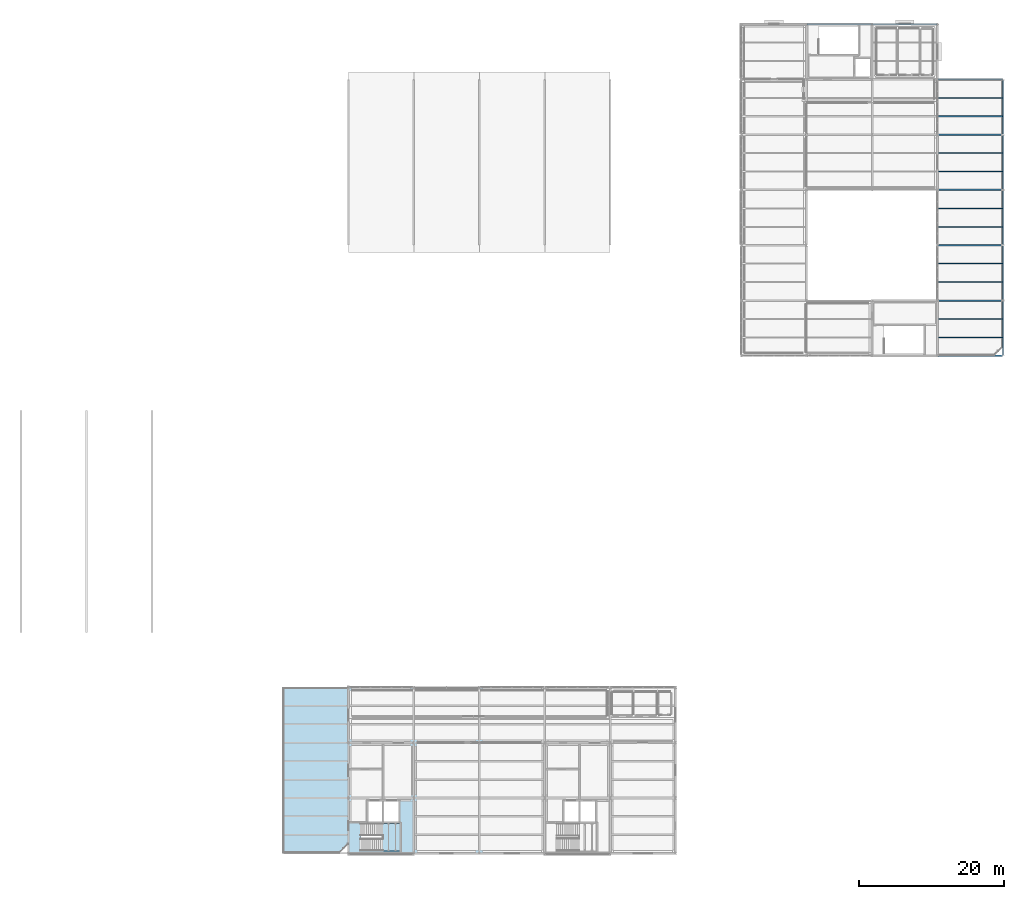
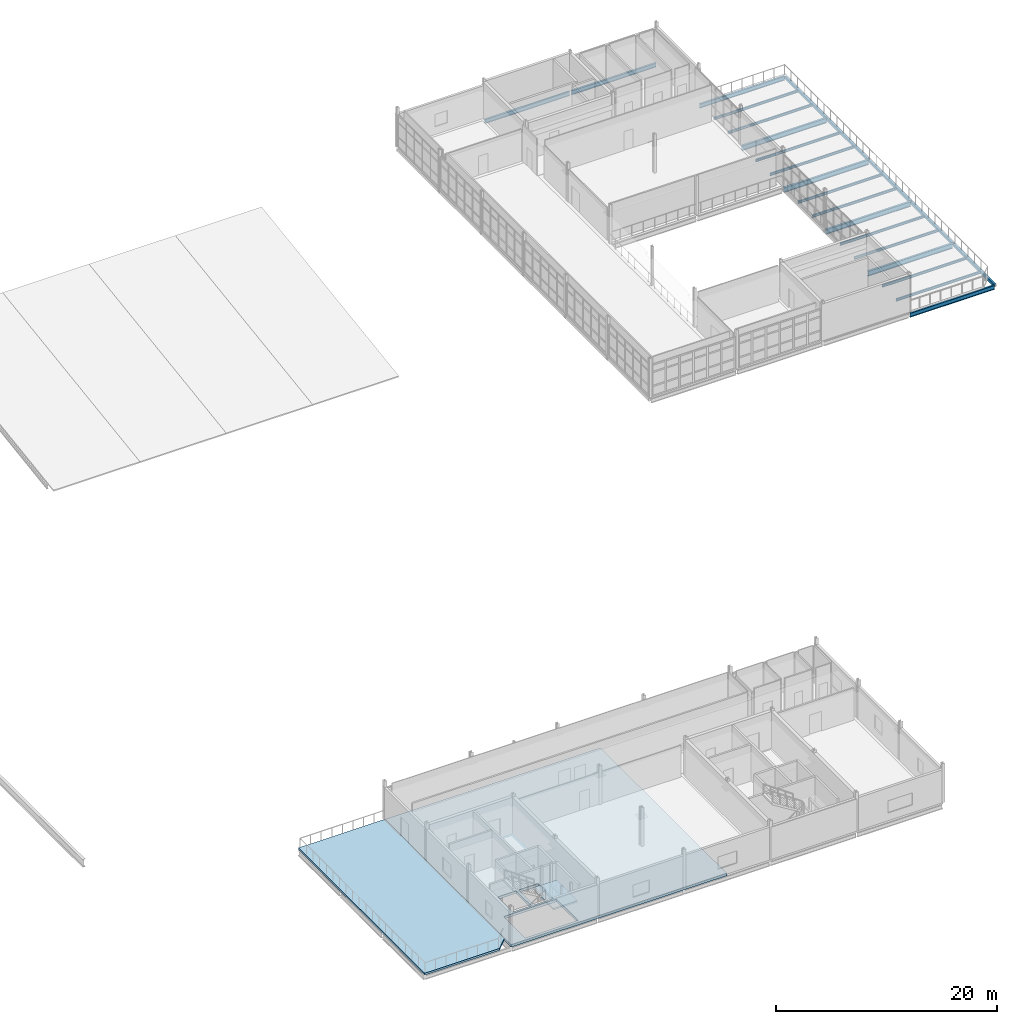
# One storey, part 32 of 48: 23 beams, 3 slabs, 1 element without a shape of its own.
"""IFC4 building model written with IfcOpenShell, lengths in metres."""

from ifc_helpers import new_model, si_unit, direction, frame, origin, origin_2d, place, context, subcontext, project, spatial, polyline, hollow_rectangle, i_section, outline, extrude, material, layer, layer_set, material_profile, profile_set, type_object, element, aggregate, save


model = new_model("IFC4")

# Units and contexts
model_context = context("Model", 3, precision=1e-05, world=origin(), true_north=direction((0.0, 1.0)))
body_context = subcontext(model_context, "Body", "Model", "MODEL_VIEW")
ifc_project = project(units=[si_unit("LENGTHUNIT", "METRE"), si_unit("AREAUNIT", "SQUARE_METRE"), si_unit("VOLUMEUNIT", "CUBIC_METRE"), si_unit("PLANEANGLEUNIT", "RADIAN"), si_unit("MASSUNIT", "GRAM", prefix="KILO")], contexts=[model_context])

# Site, building, storey
site_placement = place(None, origin())
site = spatial("IfcSite", under=ifc_project, at=site_placement, CompositionType="ELEMENT")
building_placement = place(site_placement, origin())
building = spatial("IfcBuilding", under=site, at=building_placement, Name="Caisbarro Railhouse Central Library", CompositionType="ELEMENT")
storey_placement = place(building_placement, frame((0.0, 0.0, 18.0)))
storey = spatial("IfcBuildingStorey", under=building, at=storey_placement, Name="L04", CompositionType="ELEMENT", Elevation=18.0)

# Beams
ifc_material_1 = material(Name="Steel ASTM A572 Grade 50", Category="steel")
ifc_material_profile_1 = material_profile(ifc_material_1, i_section(OverallWidth=0.208984375, OverallDepth=0.532958984375, WebThickness=0.01025390625, FlangeThickness=0.015625, FilletRadius=0.02001953125, at=origin_2d()), Name="W530X92.0")
ifc_profile_set_1 = profile_set([ifc_material_profile_1], Name="Steel ASTM A572 Grade 50")
beam_type_1 = type_object("IfcBeamType", Name="BM-G06", PredefinedType="BEAM", material=ifc_profile_set_1)
for number, where, z_axis, x_axis, name in (
    (1, (144.080078125, 76.0, -0.4765625), (1.0, 0.0, 0.0), (0.0, 1.0, 0.0), "G06 beam L04 #2141"),
    (2, (144.080078125, 83.60009765625, -0.4765625), (1.0, 0.0, 0.0), (0.0, 1.0, 0.0), "G06 beam L04 #2142"),
    (3, (144.080078125, 91.199951171875, -0.4765625), (1.0, 0.0, 0.0), (0.0, 1.0, 0.0), "G06 beam L04 #2143"),
    (4, (144.080078125, 98.800048828125, -0.4765625), (1.0, 0.0, 0.0), (0.0, 1.0, 0.0), "G06 beam L04 #2144"),
):
    element("IfcBeam", number, at=place(storey_placement, frame(where, z_axis=z_axis, x_axis=x_axis)), inside=storey, type_object=beam_type_1, Name=name, PredefinedType="BEAM", context=body_context, shape_type="SweptSolid", body=[
        extrude(i_section(OverallWidth=0.208984375, OverallDepth=0.532958984375, WebThickness=0.01025390625, FlangeThickness=0.015625, FilletRadius=0.02001953125, at=origin_2d()), origin(), (0.0, 0.0, 1.0), 8.83984375),
    ])
ifc_material_profile_2 = material_profile(ifc_material_1, i_section(OverallWidth=0.14794921875, OverallDepth=0.26611328125, WebThickness=0.007568359375, FlangeThickness=0.012939453125, FilletRadius=0.010009765625, at=origin_2d()), Name="W250X44.8")
ifc_profile_set_2 = profile_set([ifc_material_profile_2], Name="Steel ASTM A572 Grade 50")
beam_type_2 = type_object("IfcBeamType", Name="BM-J04", PredefinedType="JOIST", material=ifc_profile_set_2)
for number, where, z_axis, x_axis, name in (
    (5, (144.10009765625, 70.933349609375, -0.343017578125), (1.0, 0.0, 0.0), (0.0, 1.0, 0.0), "J04 beam L04 #2151"),
    (6, (144.10009765625, 73.466796875, -0.343017578125), (1.0, 0.0, 0.0), (0.0, 1.0, 0.0), "J04 beam L04 #2152"),
    (7, (144.10009765625, 78.533203125, -0.343017578125), (1.0, 0.0, 0.0), (0.0, 1.0, 0.0), "J04 beam L04 #2153"),
    (8, (144.10009765625, 81.066650390625, -0.343017578125), (1.0, 0.0, 0.0), (0.0, 1.0, 0.0), "J04 beam L04 #2154"),
    (9, (144.10009765625, 86.13330078125, -0.343017578125), (1.0, 0.0, 0.0), (0.0, 1.0, 0.0), "J04 beam L04 #2155"),
    (10, (144.10009765625, 88.666748046875, -0.343017578125), (1.0, 0.0, 0.0), (0.0, 1.0, 0.0), "J04 beam L04 #2156"),
    (11, (144.10009765625, 93.7333984375, -0.343017578125), (1.0, 0.0, 0.0), (0.0, 1.0, 0.0), "J04 beam L04 #2157"),
    (12, (144.10009765625, 96.2666015625, -0.343017578125), (1.0, 0.0, 0.0), (0.0, 1.0, 0.0), "J04 beam L04 #2158"),
    (13, (144.10009765625, 101.333251953125, -0.343017578125), (1.0, 0.0, 0.0), (0.0, 1.0, 0.0), "J04 beam L04 #2159"),
    (14, (144.10009765625, 103.86669921875, -0.343017578125), (1.0, 0.0, 0.0), (0.0, 1.0, 0.0), "J04 beam L04 #2160"),
):
    element("IfcBeam", number, at=place(storey_placement, frame(where, z_axis=z_axis, x_axis=x_axis)), inside=storey, type_object=beam_type_2, Name=name, PredefinedType="JOIST", context=body_context, shape_type="SweptSolid", body=[
        extrude(i_section(OverallWidth=0.14794921875, OverallDepth=0.26611328125, WebThickness=0.007568359375, FlangeThickness=0.012939453125, FilletRadius=0.010009765625, at=origin_2d()), origin(), (0.0, 0.0, 1.0), 8.7998046875),
    ])
ifc_material_profile_3 = material_profile(ifc_material_1, i_section(OverallWidth=0.18994140625, OverallDepth=0.45703125, WebThickness=0.009033203125, FlangeThickness=0.014404296875, FilletRadius=0.01806640625, at=origin_2d()), Name="W460X74.0")
ifc_profile_set_3 = profile_set([ifc_material_profile_3], Name="Steel ASTM A572 Grade 50")
beam_type_3 = type_object("IfcBeamType", Name="BM-SP01", PredefinedType="SPANDREL", material=ifc_profile_set_3)
for number, where, z_axis, x_axis, name in (
    (15, (126.080078125, 114.0, -0.448486328125), (1.0, 0.0, 0.0), (0.0, 1.0, 0.0), "SP01 beam L04 #2092"),
    (16, (135.080078125, 114.0, -0.448486328125), (1.0, 0.0, 0.0), (0.0, 1.0, 0.0), "SP01 beam L04 #2093"),
    (17, (144.080078125, 68.39990234375, -0.4384765625), (1.0, 0.0, 0.0), (0.0, 1.0, 0.0), "SP01 beam L04 #2140"),
    (18, (144.080078125, 106.39990234375, -0.4384765625), (1.0, 0.0, 0.0), (0.0, 1.0, 0.0), "SP01 beam L04 #2145"),
):
    element("IfcBeam", number, at=place(storey_placement, frame(where, z_axis=z_axis, x_axis=x_axis)), inside=storey, type_object=beam_type_3, Name=name, PredefinedType="SPANDREL", context=body_context, shape_type="SweptSolid", body=[
        extrude(i_section(OverallWidth=0.18994140625, OverallDepth=0.45703125, WebThickness=0.009033203125, FlangeThickness=0.014404296875, FilletRadius=0.01806640625, at=origin_2d()), origin(), (0.0, 0.0, 1.0), 8.83984375),
    ])
ifc_material_profile_4 = material_profile(ifc_material_1, hollow_rectangle(XDim=0.199951171875, YDim=0.300048828125, WallThickness=0.012451171875, at=origin_2d()), Name="HSS300X200X12.5")
ifc_profile_set_4 = profile_set([ifc_material_profile_4], Name="Steel ASTM A572 Grade 50")
beam_type_4 = type_object("IfcBeamType", Name="BM-SP02", PredefinedType="SPANDREL", material=ifc_profile_set_4)
for number, where, z_axis, x_axis, name in (
    (19, (153.0, 68.47998046875, -0.360107421875), (0.0, 1.0, 0.0), (-1.0, 0.0, 0.0), "SP02 beam L04 #2146"),
    (20, (153.0, 76.080078125, -0.360107421875), (0.0, 1.0, 0.0), (-1.0, 0.0, 0.0), "SP02 beam L04 #2147"),
):
    element("IfcBeam", number, at=place(storey_placement, frame(where, z_axis=z_axis, x_axis=x_axis)), inside=storey, type_object=beam_type_4, Name=name, PredefinedType="SPANDREL", context=body_context, shape_type="SweptSolid", body=[
        extrude(hollow_rectangle(XDim=0.199951171875, YDim=0.300048828125, WallThickness=0.012451171875, at=origin_2d()), origin(), (0.0, 0.0, 1.0), 7.43994140625),
    ])
beam_1_placement = place(storey_placement, frame((153.0, 83.679931640625, -0.360107421875), z_axis=(0.0, 1.0, 0.0), x_axis=(-1.0, 0.0, 0.0)))
element("IfcBeam", 21, at=beam_1_placement, inside=storey, type_object=beam_type_4, Name="SP02 beam L04 #2148", PredefinedType="SPANDREL", context=body_context, shape_type="SweptSolid", body=[
    extrude(hollow_rectangle(XDim=0.199951171875, YDim=0.300048828125, WallThickness=0.012451171875, at=origin_2d()), origin(), (0.0, 0.0, 1.0), 7.440185546875),
])
beam_2_placement = place(storey_placement, frame((153.0, 91.280029296875, -0.360107421875), z_axis=(0.0, 1.0, 0.0), x_axis=(-1.0, 0.0, 0.0)))
element("IfcBeam", 22, at=beam_2_placement, inside=storey, type_object=beam_type_4, Name="SP02 beam L04 #2149", PredefinedType="SPANDREL", context=body_context, shape_type="SweptSolid", body=[
    extrude(hollow_rectangle(XDim=0.199951171875, YDim=0.300048828125, WallThickness=0.012451171875, at=origin_2d()), origin(), (0.0, 0.0, 1.0), 7.43994140625),
])
beam_3_placement = place(storey_placement, frame((153.0, 98.8798828125, -0.360107421875), z_axis=(0.0, 1.0, 0.0), x_axis=(-1.0, 0.0, 0.0)))
element("IfcBeam", 23, at=beam_3_placement, inside=storey, type_object=beam_type_4, Name="SP02 beam L04 #2150", PredefinedType="SPANDREL", context=body_context, shape_type="SweptSolid", body=[
    extrude(hollow_rectangle(XDim=0.199951171875, YDim=0.300048828125, WallThickness=0.012451171875, at=origin_2d()), origin(), (0.0, 0.0, 1.0), 7.440185546875),
])

# Slab
ifc_material_2 = material(Name="Concrete C35", Category="concrete")
ifc_layer_1 = layer(ifc_material_2, 0.280029296875, Name="Concrete C35")
ifc_layer_set_1 = layer_set([ifc_layer_1], Name="Concrete C35")
slab_type_1 = type_object("IfcSlabType", Name="SLB-FL28", PredefinedType="FLOOR", material=ifc_layer_set_1)
slab_1_placement = place(storey_placement, frame((0.0, 0.0, -0.280029296875)))
element("IfcSlab", 24, at=slab_1_placement, inside=storey, type_object=slab_type_1, Name="SF28 structural slab L04 V5.1", PredefinedType="FLOOR", context=body_context, shape_type="SweptSolid", body=[
    extrude(outline(polyline([(63.0, 0.0), (85.5, 0.0), (85.5, 22.800048828125), (63.0, 22.800048828125), (63.0, 0.0)]), holes=[polyline([(64.64990234375, 0.300048828125), (70.14990234375, 0.300048828125), (70.14990234375, 4.14990234375), (64.64990234375, 4.14990234375), (64.64990234375, 0.300048828125)]), polyline([(65.699951171875, 4.39990234375), (67.64990234375, 4.39990234375), (67.64990234375, 7.10009765625), (65.699951171875, 7.10009765625), (65.699951171875, 4.39990234375)]), polyline([(67.89990234375, 4.39990234375), (69.949951171875, 4.39990234375), (69.949951171875, 7.10009765625), (67.89990234375, 7.10009765625), (67.89990234375, 4.39990234375)])]), origin(), (0.0, 0.0, 1.0), 0.280029296875),
])

# Stair, slab
stair_type = type_object("IfcStairType", Name="STR-ST43A", PredefinedType="HALF_TURN_STAIR", material=ifc_material_2)
stair_placement = place(storey_placement, origin())
stair = element("IfcStair", 25, at=stair_placement, inside=storey, type_object=stair_type, Name="Protected Stair ST-01 (L04)", PredefinedType="HALF_TURN_STAIR")
ifc_layer_2 = layer(ifc_material_2, 0.18994140625, Name="Concrete C35")
ifc_layer_set_2 = layer_set([ifc_layer_2], Name="Concrete C35")
slab_type_2 = type_object("IfcSlabType", Name="SLB-LND19", PredefinedType="LANDING", material=ifc_layer_set_2)
slab_2_placement = place(storey_placement, frame((0.0, 0.0, 1.969970703125)))
slab_2 = element("IfcSlab", 26, at=slab_2_placement, type_object=slab_type_2, Name="ST-01 landing 1", PredefinedType="LANDING", context=body_context, shape_type="SweptSolid", body=[
    extrude(outline(polyline([(67.6201171875, 0.340087890625), (70.1201171875, 0.340087890625), (70.1201171875, 4.110107421875), (67.6201171875, 4.110107421875), (67.6201171875, 0.340087890625)])), origin(), (0.0, 0.0, 1.0), 0.18994140625),
])
aggregate(stair, [slab_2])

# Slab
ifc_layer_3 = layer(ifc_material_2, 0.2099609375, Name="Concrete C35")
ifc_layer_set_3 = layer_set([ifc_layer_3], Name="Concrete C35")
slab_type_3 = type_object("IfcSlabType", Name="SLB-TR21", PredefinedType="FLOOR", material=ifc_layer_set_3)
slab_3_placement = place(storey_placement, frame((0.0, 0.0, -0.2099609375)))
element("IfcSlab", 27, at=slab_3_placement, inside=storey, type_object=slab_type_3, Name="Outdoor Reading Terrace Slab TR-L04-S", PredefinedType="FLOOR", context=body_context, shape_type="SweptSolid", body=[
    extrude(outline(polyline([(54.0, 0.0), (61.800048828125, 0.0), (63.0, 1.199951171875), (63.0, 22.800048828125), (54.0, 22.800048828125), (54.0, 0.0)])), origin(), (0.0, 0.0, 1.0), 0.2099609375),
])

save(model, "model.ifc")
